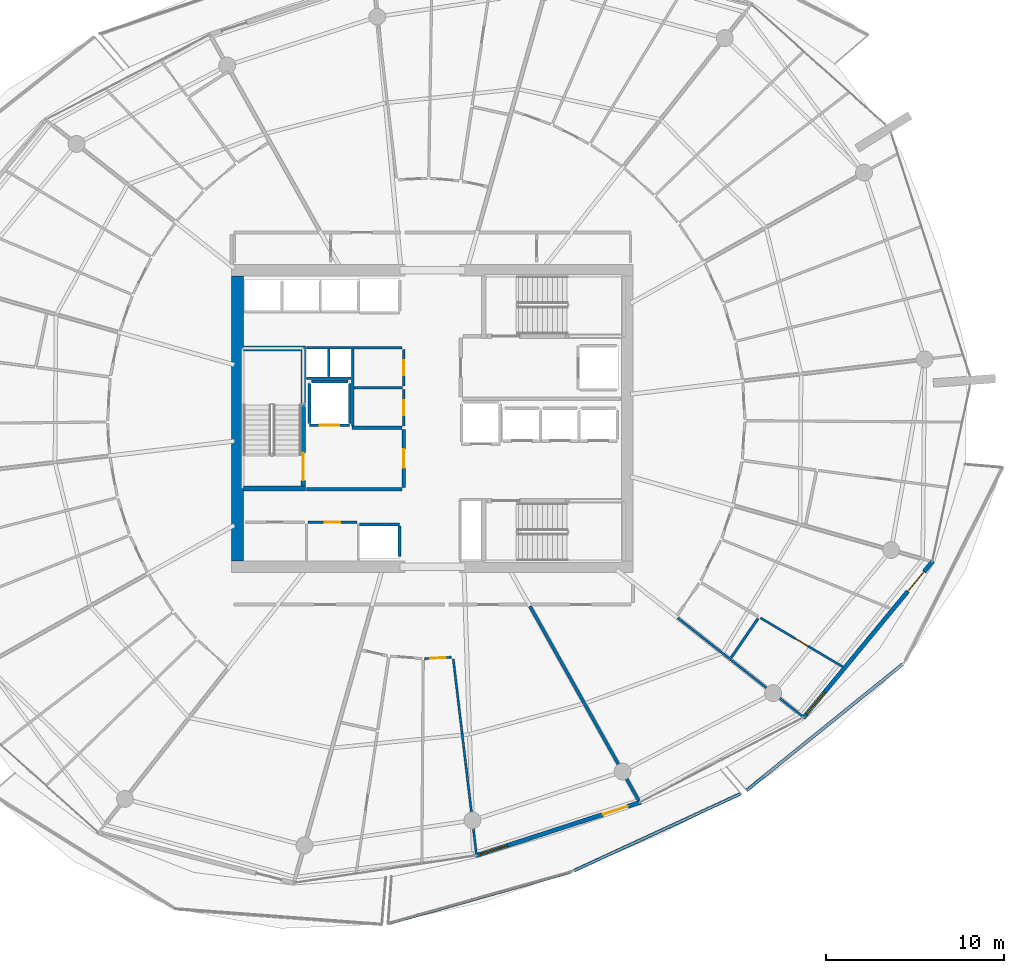
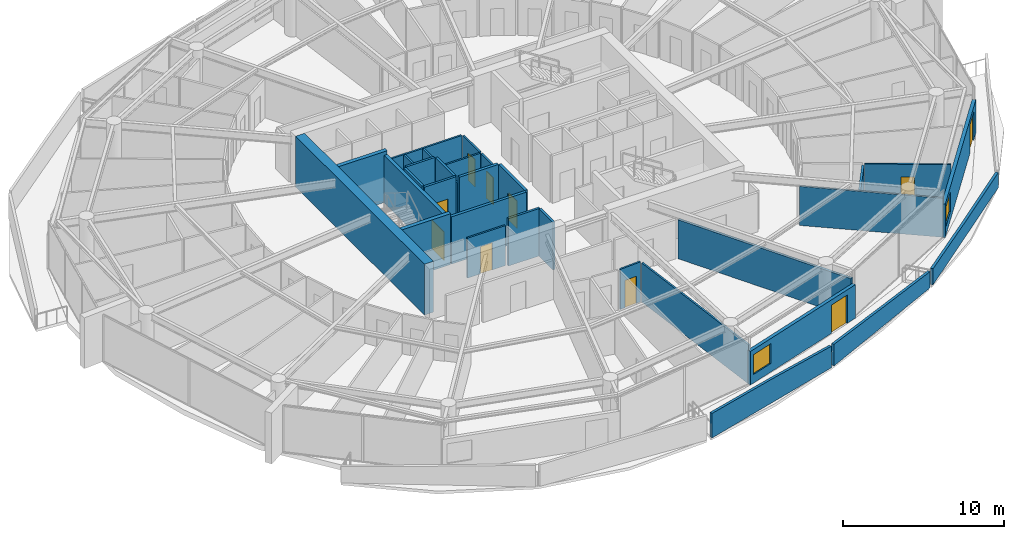
# One storey, part 19 of 30: 32 walls, 10 doors, 2 windows, 12 openings.
"""IFC4 building model written with IfcOpenShell, lengths in metres."""

from ifc_helpers import new_model, si_unit, direction, frame, frame_2d, origin, place, context, subcontext, project, spatial, polyline, rectangle, outline, extrude, material, layer, layer_set, type_object, element, fill, save


model = new_model("IFC4")

# Units and contexts
model_context = context("Model", 3, precision=1e-05, world=origin(), true_north=direction((0.0, 1.0)))
body_context = subcontext(model_context, "Body", "Model", "MODEL_VIEW")
ifc_project = project(units=[si_unit("LENGTHUNIT", "METRE"), si_unit("AREAUNIT", "SQUARE_METRE"), si_unit("VOLUMEUNIT", "CUBIC_METRE"), si_unit("PLANEANGLEUNIT", "RADIAN"), si_unit("MASSUNIT", "GRAM", prefix="KILO")], contexts=[model_context])

# Site, building, storey
site_placement = place(None, origin())
site = spatial("IfcSite", under=ifc_project, at=site_placement, CompositionType="ELEMENT")
building_placement = place(site_placement, origin())
building = spatial("IfcBuilding", under=site, at=building_placement, Name="Kazma Halo Residences", CompositionType="ELEMENT")
storey_placement = place(building_placement, frame((0.0, 0.0, 236.699951171875)))
storey = spatial("IfcBuildingStorey", under=building, at=storey_placement, Name="L59", CompositionType="ELEMENT", Elevation=236.699951171875)

# Walls
ifc_material_1 = material(Name="White Concrete C50/60 Balustrade", Category="concrete")
ifc_layer_1 = layer(ifc_material_1, 0.179931640625)
ifc_layer_set_1 = layer_set([ifc_layer_1], Name="White Concrete C50/60 Balustrade")
wall_type_1 = type_object("IfcWallType", Name="WL-BAL-WAVE-180", PredefinedType="PARAPET", material=ifc_layer_set_1)
wall_1_placement = place(storey_placement, frame((45.94189453125, 13.635498046875, 0.0), z_axis=(0.0, 0.0, 1.0), x_axis=(0.962462930889, 0.271413165976, 0.0)))
element("IfcWall", 1, at=wall_1_placement, inside=storey, type_object=wall_type_1, Name="L59 white wave balustrade wall SSE.1", PredefinedType="PARAPET", context=body_context, shape_type="SweptSolid", body=[
    extrude(outline(polyline([(0.0, 0.0), (10.610595703125, 0.0), (10.610595703125, 1.632080078125), (5.305419921875, 1.798095703125), (0.0, 1.860107421875), (0.0, 0.0)])), frame((0.0, 0.08984375, 0.0), z_axis=(0.0, -1.0, 0.0), x_axis=(1.0, 0.0, 0.0)), (0.0, 0.0, 1.0), 0.179931640625),
])
wall_2_placement = place(storey_placement, frame((56.378662109375, 16.598388671875, 0.0), z_axis=(0.0, 0.0, 1.0), x_axis=(0.907848132744, 0.419299138888, 0.0)))
element("IfcWall", 2, at=wall_2_placement, inside=storey, type_object=wall_type_1, Name="L59 white wave balustrade wall SSE.2", PredefinedType="PARAPET", context=body_context, shape_type="SweptSolid", body=[
    extrude(outline(polyline([(0.0, 0.0), (10.34375, 0.0), (10.34375, 1.233154296875), (5.171875, 1.41796875), (0.0, 1.632080078125), (0.0, 0.0)])), frame((0.0, 0.08984375, 0.0), z_axis=(0.0, -1.0, 0.0), x_axis=(1.0, 0.0, 0.0)), (0.0, 0.0, 1.0), 0.179931640625),
])
wall_3_placement = place(storey_placement, frame((66.0673828125, 21.10546875, 0.0), z_axis=(0.0, 0.0, 1.0), x_axis=(0.777688536298, 0.628649775718, 0.0)))
element("IfcWall", 3, at=wall_3_placement, inside=storey, type_object=wall_type_1, Name="L59 white wave balustrade wall SE.1", PredefinedType="PARAPET", context=body_context, shape_type="SweptSolid", body=[
    extrude(outline(polyline([(0.0, 0.0), (11.284912109375, 0.0), (11.28466796875, 1.14794921875), (5.642333984375, 1.126953125), (0.0, 1.22412109375), (0.0, 0.0)])), frame((0.0, 0.08984375, 0.0), z_axis=(0.0, -1.0, 0.0), x_axis=(1.0, 0.0, 0.0)), (0.0, 0.0, 1.0), 0.179931640625),
])
ifc_material_2 = material(Name="Concrete C60/75", Category="concrete")
ifc_layer_2 = layer(ifc_material_2, 0.64990234375)
ifc_layer_set_2 = layer_set([ifc_layer_2], Name="Concrete C60/75")
wall_type_2 = type_object("IfcWallType", Name="WL-CORE-650", PredefinedType="SHEAR", material=ifc_layer_set_2)
wall_4_placement = place(storey_placement, frame((37.47509765625, 34.0, 0.0), z_axis=(0.0, 0.0, 1.0), x_axis=(0.0, 1.0, 0.0)))
element("IfcWall", 4, at=wall_4_placement, inside=storey, type_object=wall_type_2, Name="L59 central core shear wall W", PredefinedType="SHEAR", context=body_context, shape_type="SweptSolid", body=[
    extrude(rectangle(XDim=16.0, YDim=0.64990234375, at=frame_2d((8.0, 0.0))), origin(), (0.0, 0.0, 1.0), 3.85009765625),
])
ifc_layer_3 = layer(ifc_material_2, 0.280029296875)
ifc_layer_set_3 = layer_set([ifc_layer_3], Name="Concrete C60/75")
wall_type_3 = type_object("IfcWallType", Name="WL-CORE-ST-280", PredefinedType="SHEAR", material=ifc_layer_set_3)
for number, where, z_axis, x_axis, name in (
    (5, (37.800048828125, 38.06005859375, 0.0), (0.0, 0.0, 1.0), (1.0, 0.0, 0.0), "L59 stairwell bearing wall ST01-S"),
    (6, (37.800048828125, 45.93994140625, 0.0), (0.0, 0.0, 1.0), (1.0, 0.0, 0.0), "L59 stairwell bearing wall ST01-N"),
):
    element("IfcWall", number, at=place(storey_placement, frame(where, z_axis=z_axis, x_axis=x_axis)), inside=storey, type_object=wall_type_3, Name=name, PredefinedType="SHEAR", context=body_context, shape_type="SweptSolid", body=[
        extrude(rectangle(XDim=3.5, YDim=0.280029296875, at=frame_2d((1.75, 0.0))), origin(), (0.0, 0.0, 1.0), 3.85009765625),
    ])
ifc_material_3 = material(Name="Acoustic Twin-Stud Gypsum")
ifc_layer_4 = layer(ifc_material_3, 0.179931640625)
ifc_layer_set_4 = layer_set([ifc_layer_4], Name="Acoustic Twin-Stud Gypsum")
wall_type_4 = type_object("IfcWallType", Name="WL-DEM-180", PredefinedType="PARTITIONING", material=ifc_layer_set_4)
wall_5_placement = place(storey_placement, frame((53.906005859375, 31.4541015625, 0.0), z_axis=(0.0, 0.0, 1.0), x_axis=(0.48862654941, -0.872493034477, 0.0)))
element("IfcWall", 7, at=wall_5_placement, inside=storey, type_object=wall_type_4, Name="L59 apartment demising radial wall 12", PredefinedType="PARTITIONING", context=body_context, shape_type="SweptSolid", body=[
    extrude(rectangle(XDim=12.507568359375, YDim=0.179931640625, at=frame_2d((6.25390625, 0.0))), origin(), (0.0, 0.0, 1.0), 2.95703125),
])

# Wall, openings, door, window
ifc_material_4 = material(Name="Insulated Pale-Metal Composite Wall")
ifc_layer_5 = layer(ifc_material_4, 0.239990234375)
ifc_layer_set_5 = layer_set([ifc_layer_5], Name="Insulated Pale-Metal Composite Wall")
wall_type_5 = type_object("IfcWallType", Name="WL-EXT-HOST-240", PredefinedType="SOLIDWALL", material=ifc_layer_set_5)
wall_6_placement = place(storey_placement, frame((50.85791015625, 17.436279296875, 0.0), z_axis=(0.0, 0.0, 1.0), x_axis=(0.951055974609, 0.309018661507, 0.0)))
wall_6 = element("IfcWall", 8, at=wall_6_placement, inside=storey, type_object=wall_type_5, Name="L59 exterior terrace-access wall B12", PredefinedType="SOLIDWALL", context=body_context, shape_type="SweptSolid", body=[
    extrude(rectangle(XDim=9.745361328125, YDim=0.239990234375, at=frame_2d((4.87255859375, 0.0))), origin(), (0.0, 0.0, 1.0), 2.5400390625),
])
opening_1_placement = place(wall_6_placement, frame((7.525390625, 0.0, 0.0)))
opening_1 = element("IfcOpeningElement", 9, at=opening_1_placement, cuts=wall_6, Name="Opening DTR-1600", PredefinedType="OPENING", context=body_context, shape_type="SweptSolid", body=[
    extrude(rectangle(XDim=1.449951171875, YDim=2.14990234375, at=frame_2d((0.72509765625, 1.074951171875))), frame((0.0, 0.1298828125, 0.0), z_axis=(0.0, -1.0, 0.0), x_axis=(1.0, 0.0, 0.0)), (0.0, 0.0, 1.0), 0.260009765625),
])
opening_2_placement = place(wall_6_placement, frame((0.280029296875, 0.0, 0.64990234375)))
opening_2 = element("IfcOpeningElement", 10, at=opening_2_placement, cuts=wall_6, Name="Opening W-1800", PredefinedType="OPENING", context=body_context, shape_type="SweptSolid", body=[
    extrude(rectangle(XDim=1.60009765625, YDim=1.5, at=frame_2d((0.800048828125, 0.75))), frame((0.0, 0.1298828125, 0.0), z_axis=(0.0, -1.0, 0.0), x_axis=(1.0, 0.0, 0.0)), (0.0, 0.0, 1.0), 0.260009765625),
])
ifc_material_5 = material(Name="Aluminium AW-6063 T6 Double-Glazed Terrace Door", Category="aluminium")
door_type_1 = type_object("IfcDoorType", Name="DR-EXT-TERR-1600", OperationType="NOTDEFINED", PredefinedType="DOOR", material=ifc_material_5)
door_1_placement = place(opening_1_placement, origin())
door_1 = element("IfcDoor", 11, at=door_1_placement, inside=storey, type_object=door_type_1, Name="L59 B12 balcony terrace door", OperationType="DOUBLE_DOOR_SLIDING", OverallHeight=2.14990234375, OverallWidth=1.449951171875, PredefinedType="DOOR", context=body_context, shape_type="SweptSolid", body=[
    extrude(rectangle(XDim=1.449951171875, YDim=2.14990234375, at=frame_2d((0.72509765625, 1.074951171875))), frame((0.0, 0.02490234375, 0.0), z_axis=(0.0, -1.0, 0.0), x_axis=(1.0, 0.0, 0.0)), (0.0, 0.0, 1.0), 0.050048828125),
])
fill(opening_1, door_1)
ifc_material_6 = material(Name="Clear Triple-Silver Low-E Glass in Aluminium AW-6063 T6 Frame", Category="aluminium")
window_type = type_object("IfcWindowType", Name="WIN-RES-1800", PartitioningType="DOUBLE_PANEL_VERTICAL", PredefinedType="WINDOW", material=ifc_material_6)
window_1_placement = place(opening_2_placement, origin())
window_1 = element("IfcWindow", 12, at=window_1_placement, inside=storey, type_object=window_type, Name="L59 B12 apartment window", OverallHeight=1.5, OverallWidth=1.60009765625, PartitioningType="SINGLE_PANEL", PredefinedType="WINDOW", context=body_context, shape_type="SweptSolid", body=[
    extrude(rectangle(XDim=1.60009765625, YDim=1.5, at=frame_2d((0.800048828125, 0.75))), frame((0.0, 0.030029296875, 0.0), z_axis=(0.0, -1.0, 0.0), x_axis=(1.0, 0.0, 0.0)), (0.0, 0.0, 1.0), 0.06005859375),
])
fill(opening_2, window_1)

wall_7_placement = place(storey_placement, frame((69.2578125, 25.177978515625, 0.0), z_axis=(0.0, 0.0, 1.0), x_axis=(0.636680093065, 0.771128043255, 0.0)))
wall_7 = element("IfcWall", 13, at=wall_7_placement, inside=storey, type_object=wall_type_5, Name="L59 exterior terrace-access wall B14", PredefinedType="SOLIDWALL", context=body_context, shape_type="SweptSolid", body=[
    extrude(rectangle(XDim=11.438232421875, YDim=0.239990234375, at=frame_2d((5.71923828125, 0.0))), origin(), (0.0, 0.0, 1.0), 2.5400390625),
])
opening_3_placement = place(wall_7_placement, frame((9.21826171875, 0.0, 0.0)))
opening_3 = element("IfcOpeningElement", 14, at=opening_3_placement, cuts=wall_7, Name="Opening DTR-1600", PredefinedType="OPENING", context=body_context, shape_type="SweptSolid", body=[
    extrude(rectangle(XDim=1.449951171875, YDim=2.14990234375, at=frame_2d((0.72509765625, 1.074951171875))), frame((0.0, 0.1298828125, 0.0), z_axis=(0.0, -1.0, 0.0), x_axis=(1.0, 0.0, 0.0)), (0.0, 0.0, 1.0), 0.260009765625),
])
opening_4_placement = place(wall_7_placement, frame((0.280029296875, 0.0, 0.64990234375)))
opening_4 = element("IfcOpeningElement", 15, at=opening_4_placement, cuts=wall_7, Name="Opening W-1800", PredefinedType="OPENING", context=body_context, shape_type="SweptSolid", body=[
    extrude(rectangle(XDim=1.60009765625, YDim=1.5, at=frame_2d((0.800048828125, 0.75))), frame((0.0, 0.1298828125, 0.0), z_axis=(0.0, -1.0, 0.0), x_axis=(1.0, 0.0, 0.0)), (0.0, 0.0, 1.0), 0.260009765625),
])
door_2_placement = place(opening_3_placement, origin())
door_2 = element("IfcDoor", 16, at=door_2_placement, inside=storey, type_object=door_type_1, Name="L59 B14 balcony terrace door", OperationType="DOUBLE_DOOR_SLIDING", OverallHeight=2.14990234375, OverallWidth=1.449951171875, PredefinedType="DOOR", context=body_context, shape_type="SweptSolid", body=[
    extrude(rectangle(XDim=1.449951171875, YDim=2.14990234375, at=frame_2d((0.72509765625, 1.074951171875))), frame((0.0, 0.02490234375, 0.0), z_axis=(0.0, -1.0, 0.0), x_axis=(1.0, 0.0, 0.0)), (0.0, 0.0, 1.0), 0.050048828125),
])
fill(opening_3, door_2)
window_2_placement = place(opening_4_placement, origin())
window_2 = element("IfcWindow", 17, at=window_2_placement, inside=storey, type_object=window_type, Name="L59 B14 apartment window", OverallHeight=1.5, OverallWidth=1.60009765625, PartitioningType="SINGLE_PANEL", PredefinedType="WINDOW", context=body_context, shape_type="SweptSolid", body=[
    extrude(rectangle(XDim=1.60009765625, YDim=1.5, at=frame_2d((0.800048828125, 0.75))), frame((0.0, 0.030029296875, 0.0), z_axis=(0.0, -1.0, 0.0), x_axis=(1.0, 0.0, 0.0)), (0.0, 0.0, 1.0), 0.06005859375),
])
fill(opening_4, window_2)

# Walls
ifc_material_7 = material(Name="Fire-Rated Blockwork Masonry", Category="masonry")
ifc_layer_6 = layer(ifc_material_7, 0.199951171875)
ifc_layer_set_6 = layer_set([ifc_layer_6], Name="Fire-Rated Blockwork Masonry")
wall_type_6 = type_object("IfcWallType", Name="WL-FLB-200", PredefinedType="PARTITIONING", material=ifc_layer_set_6)
wall_8_placement = place(storey_placement, frame((44.320068359375, 36.054931640625, 0.0), z_axis=(0.0, 0.0, 1.0), x_axis=(1.0, 0.0, 0.0)))
element("IfcWall", 18, at=wall_8_placement, inside=storey, type_object=wall_type_6, Name="L59 lift shaft PX-02 front wall", PredefinedType="PARTITIONING", context=body_context, shape_type="SweptSolid", body=[
    extrude(rectangle(XDim=2.260009765625, YDim=0.159912109375, at=frame_2d((1.1298828125, 0.0))), origin(), (0.0, 0.0, 1.0), 3.590087890625),
])
wall_9_placement = place(storey_placement, frame((46.580078125, 34.2451171875, 0.0), z_axis=(0.0, 0.0, 1.0), x_axis=(0.0, 1.0, 0.0)))
element("IfcWall", 19, at=wall_9_placement, inside=storey, type_object=wall_type_6, Name="L59 lift shaft PX-02 side wall E", PredefinedType="PARTITIONING", context=body_context, shape_type="SweptSolid", body=[
    extrude(rectangle(XDim=1.7099609375, YDim=0.159912109375, at=frame_2d((0.85498046875, 0.0))), origin(), (0.0, 0.0, 1.0), 3.590087890625),
])

# Wall, opening, door
wall_10_placement = place(storey_placement, frame((43.780029296875, 41.6201171875, 0.0), z_axis=(0.0, 0.0, 1.0), x_axis=(-1.0, 0.0, 0.0)))
wall_10 = element("IfcWall", 20, at=wall_10_placement, inside=storey, type_object=wall_type_6, Name="L59 lift shaft FL-01 front wall", PredefinedType="PARTITIONING", context=body_context, shape_type="SweptSolid", body=[
    extrude(rectangle(XDim=2.260009765625, YDim=0.159912109375, at=frame_2d((1.1298828125, 0.0))), origin(), (0.0, 0.0, 1.0), 3.590087890625),
])
opening_5_placement = place(wall_10_placement, frame((0.580078125, 0.0, 0.0)))
opening_5 = element("IfcOpeningElement", 21, at=opening_5_placement, cuts=wall_10, Name="Opening LD-FL-01", PredefinedType="OPENING", context=body_context, shape_type="SweptSolid", body=[
    extrude(rectangle(XDim=1.10009765625, YDim=2.10009765625, at=frame_2d((0.550048828125, 1.050048828125))), frame((0.0, 0.08984375, 0.0), z_axis=(0.0, -1.0, 0.0), x_axis=(1.0, 0.0, 0.0)), (0.0, 0.0, 1.0), 0.179931640625),
])
ifc_material_8 = material(Name="Stainless Steel Fire-Rated", Category="steel")
door_type_2 = type_object("IfcDoorType", Name="DR-LIFT-SLD-1100", OperationType="DOUBLE_DOOR_SLIDING", PredefinedType="DOOR", material=ifc_material_8)
door_3_placement = place(opening_5_placement, origin())
door_3 = element("IfcDoor", 22, at=door_3_placement, inside=storey, type_object=door_type_2, Name="L59 lift FL-01 sliding landing door", OperationType="DOUBLE_DOOR_SLIDING", OverallHeight=2.10009765625, OverallWidth=1.10009765625, PredefinedType="DOOR", context=body_context, shape_type="SweptSolid", body=[
    extrude(rectangle(XDim=1.10009765625, YDim=2.10009765625, at=frame_2d((0.550048828125, 1.050048828125))), frame((0.0, 0.02490234375, 0.0), z_axis=(0.0, -1.0, 0.0), x_axis=(1.0, 0.0, 0.0)), (0.0, 0.0, 1.0), 0.050048828125),
])
fill(opening_5, door_3)

# Walls
for number, where, z_axis, x_axis, name in (
    (23, (43.780029296875, 41.719970703125, 0.0), (0.0, 0.0, 1.0), (0.0, 1.0, 0.0), "L59 lift shaft FL-01 side wall E"),
    (24, (41.52001953125, 41.719970703125, 0.0), (0.0, 0.0, 1.0), (0.0, 1.0, 0.0), "L59 lift shaft FL-01 side wall W"),
):
    element("IfcWall", number, at=place(storey_placement, frame(where, z_axis=z_axis, x_axis=x_axis)), inside=storey, type_object=wall_type_6, Name=name, PredefinedType="PARTITIONING", context=body_context, shape_type="SweptSolid", body=[
        extrude(rectangle(XDim=2.260009765625, YDim=0.159912109375, at=frame_2d((1.1298828125, 0.0))), origin(), (0.0, 0.0, 1.0), 3.590087890625),
    ])
wall_11_placement = place(storey_placement, frame((41.6201171875, 44.080078125, 0.0), z_axis=(0.0, 0.0, 1.0), x_axis=(1.0, 0.0, 0.0)))
element("IfcWall", 25, at=wall_11_placement, inside=storey, type_object=wall_type_6, Name="L59 lift shaft FL-01 side wall N", PredefinedType="PARTITIONING", context=body_context, shape_type="SweptSolid", body=[
    extrude(rectangle(XDim=2.059814453125, YDim=0.159912109375, at=frame_2d((1.02978515625, 0.0))), origin(), (0.0, 0.0, 1.0), 3.590087890625),
])
wall_12_placement = place(storey_placement, frame((41.35009765625, 38.02001953125, 0.0), z_axis=(0.0, 0.0, 1.0), x_axis=(1.0, 0.0, 0.0)))
element("IfcWall", 26, at=wall_12_placement, inside=storey, type_object=wall_type_6, Name="L59 west firefighting lobby south smoke wall", PredefinedType="PARTITIONING", context=body_context, shape_type="SweptSolid", body=[
    extrude(rectangle(XDim=5.369873046875, YDim=0.199951171875, at=frame_2d((2.68505859375, 0.0))), origin(), (0.0, 0.0, 1.0), 3.590087890625),
])
wall_13_placement = place(storey_placement, frame((43.919921875, 41.47998046875, 0.0), z_axis=(0.0, 0.0, 1.0), x_axis=(1.0, 0.0, 0.0)))
element("IfcWall", 27, at=wall_13_placement, inside=storey, type_object=wall_type_6, Name="L59 west firefighting lobby north smoke wall", PredefinedType="PARTITIONING", context=body_context, shape_type="SweptSolid", body=[
    extrude(rectangle(XDim=2.800048828125, YDim=0.199951171875, at=frame_2d((1.39990234375, 0.0))), origin(), (0.0, 0.0, 1.0), 3.590087890625),
])

# Wall, opening, door
wall_14_placement = place(storey_placement, frame((46.820068359375, 38.1201171875, 0.0), z_axis=(0.0, 0.0, 1.0), x_axis=(0.0, 1.0, 0.0)))
wall_14 = element("IfcWall", 28, at=wall_14_placement, inside=storey, type_object=wall_type_6, Name="L59 west firefighting lobby smoke wall", PredefinedType="PARTITIONING", context=body_context, shape_type="SweptSolid", body=[
    extrude(rectangle(XDim=3.259765625, YDim=0.199951171875, at=frame_2d((1.6298828125, 0.0))), origin(), (0.0, 0.0, 1.0), 3.590087890625),
])
opening_6_placement = place(wall_14_placement, frame((1.10498046875, 0.0, 0.0)))
opening_6 = element("IfcOpeningElement", 29, at=opening_6_placement, cuts=wall_14, Name="Opening D-FLW", PredefinedType="OPENING", context=body_context, shape_type="SweptSolid", body=[
    extrude(rectangle(XDim=1.050048828125, YDim=2.10009765625, at=frame_2d((0.52490234375, 1.050048828125))), frame((0.0, 0.10986328125, 0.0), z_axis=(0.0, -1.0, 0.0), x_axis=(1.0, 0.0, 0.0)), (0.0, 0.0, 1.0), 0.219970703125),
])
ifc_material_9 = material(Name="Fire-Rated Steel Leaf", Category="steel")
door_type_3 = type_object("IfcDoorType", Name="DR-FD90-1050", OperationType="NOTDEFINED", PredefinedType="DOOR", material=ifc_material_9)
door_4_placement = place(opening_6_placement, origin())
door_4 = element("IfcDoor", 30, at=door_4_placement, inside=storey, type_object=door_type_3, Name="L59 west firefighting lobby smoke door", OperationType="SINGLE_SWING_RIGHT", OverallHeight=2.10009765625, OverallWidth=1.050048828125, PredefinedType="DOOR", context=body_context, shape_type="SweptSolid", body=[
    extrude(rectangle(XDim=1.050048828125, YDim=2.10009765625, at=frame_2d((0.52490234375, 1.050048828125))), frame((0.0, 0.02490234375, 0.0), z_axis=(0.0, -1.0, 0.0), x_axis=(1.0, 0.0, 0.0)), (0.0, 0.0, 1.0), 0.050048828125),
])
fill(opening_6, door_4)

ifc_material_10 = material(Name="Gypsum Plasterboard Partition")
ifc_layer_7 = layer(ifc_material_10, 0.125)
ifc_layer_set_7 = layer_set([ifc_layer_7], Name="Gypsum Plasterboard Partition")
wall_type_7 = type_object("IfcWallType", Name="WL-PART-125", PredefinedType="PARTITIONING", material=ifc_layer_set_7)
wall_15_placement = place(storey_placement, frame((41.449951171875, 36.179931640625, 0.0), z_axis=(0.0, 0.0, 1.0), x_axis=(1.0, 0.0, 0.0)))
wall_15 = element("IfcWall", 31, at=wall_15_placement, inside=storey, type_object=wall_type_7, Name="L59 reclaimed south E front wall", PredefinedType="PARTITIONING", context=body_context, shape_type="SweptSolid", body=[
    extrude(rectangle(XDim=2.72998046875, YDim=0.125, at=frame_2d((1.364990234375, 0.0))), origin(), (0.0, 0.0, 1.0), 3.030029296875),
])
opening_7_placement = place(wall_15_placement, frame((0.93994140625, 0.0, 0.0)))
opening_7 = element("IfcOpeningElement", 32, at=opening_7_placement, cuts=wall_15, Name="Opening DS-850", PredefinedType="OPENING", context=body_context, shape_type="SweptSolid", body=[
    extrude(rectangle(XDim=0.85009765625, YDim=2.06005859375, at=frame_2d((0.425048828125, 1.030029296875))), frame((0.0, 0.072509765625, 0.0), z_axis=(0.0, -1.0, 0.0), x_axis=(1.0, 0.0, 0.0)), (0.0, 0.0, 1.0), 0.14501953125),
])
ifc_material_11 = material(Name="Painted Steel Access Leaf", Category="steel")
door_type_4 = type_object("IfcDoorType", Name="DR-SVC-850", OperationType="NOTDEFINED", PredefinedType="DOOR", material=ifc_material_11)
door_5_placement = place(opening_7_placement, origin())
door_5 = element("IfcDoor", 33, at=door_5_placement, inside=storey, type_object=door_type_4, Name="L59 reclaimed south E door", OperationType="SINGLE_SWING_LEFT", OverallHeight=2.06005859375, OverallWidth=0.85009765625, PredefinedType="DOOR", context=body_context, shape_type="SweptSolid", body=[
    extrude(rectangle(XDim=0.85009765625, YDim=2.06005859375, at=frame_2d((0.425048828125, 1.030029296875))), frame((0.0, 0.02490234375, 0.0), z_axis=(0.0, -1.0, 0.0), x_axis=(1.0, 0.0, 0.0)), (0.0, 0.0, 1.0), 0.050048828125),
])
fill(opening_7, door_5)

# Walls
wall_16_placement = place(storey_placement, frame((41.360107421875, 45.97998046875, 0.0), z_axis=(0.0, 0.0, 1.0), x_axis=(1.0, 0.0, 0.0)))
element("IfcWall", 34, at=wall_16_placement, inside=storey, type_object=wall_type_7, Name="L59 core north riser wall", PredefinedType="PARTITIONING", context=body_context, shape_type="SweptSolid", body=[
    extrude(rectangle(XDim=5.35986328125, YDim=0.125, at=frame_2d((2.679931640625, 0.0))), origin(), (0.0, 0.0, 1.0), 3.030029296875),
])
wall_17_placement = place(storey_placement, frame((41.360107421875, 44.260009765625, 0.0), z_axis=(0.0, 0.0, 1.0), x_axis=(1.0, 0.0, 0.0)))
element("IfcWall", 35, at=wall_17_placement, inside=storey, type_object=wall_type_7, Name="L59 core riser south wall", PredefinedType="PARTITIONING", context=body_context, shape_type="SweptSolid", body=[
    extrude(rectangle(XDim=2.5, YDim=0.125, at=frame_2d((1.25, 0.0))), origin(), (0.0, 0.0, 1.0), 3.030029296875),
])
wall_18_placement = place(storey_placement, frame((42.60009765625, 44.35009765625, 0.0), z_axis=(0.0, 0.0, 1.0), x_axis=(0.0, 1.0, 0.0)))
element("IfcWall", 36, at=wall_18_placement, inside=storey, type_object=wall_type_7, Name="L59 core riser divider wall", PredefinedType="PARTITIONING", context=body_context, shape_type="SweptSolid", body=[
    extrude(rectangle(XDim=1.5498046875, YDim=0.125, at=frame_2d((0.77490234375, 0.0))), origin(), (0.0, 0.0, 1.0), 3.030029296875),
])
wall_19_placement = place(storey_placement, frame((43.949951171875, 41.580078125, 0.0), z_axis=(0.0, 0.0, 1.0), x_axis=(0.0, 1.0, 0.0)))
element("IfcWall", 37, at=wall_19_placement, inside=storey, type_object=wall_type_7, Name="L59 core service west wall", PredefinedType="PARTITIONING", context=body_context, shape_type="SweptSolid", body=[
    extrude(rectangle(XDim=4.31982421875, YDim=0.125, at=frame_2d((2.159912109375, 0.0))), origin(), (0.0, 0.0, 1.0), 3.030029296875),
])
wall_20_placement = place(storey_placement, frame((44.030029296875, 43.72998046875, 0.0), z_axis=(0.0, 0.0, 1.0), x_axis=(1.0, 0.0, 0.0)))
element("IfcWall", 38, at=wall_20_placement, inside=storey, type_object=wall_type_7, Name="L59 switch/IDF divider", PredefinedType="PARTITIONING", context=body_context, shape_type="SweptSolid", body=[
    extrude(rectangle(XDim=2.7099609375, YDim=0.125, at=frame_2d((1.35498046875, 0.0))), origin(), (0.0, 0.0, 1.0), 3.030029296875),
])

# Wall, opening, door
wall_21_placement = place(storey_placement, frame((46.820068359375, 41.580078125, 0.0), z_axis=(0.0, 0.0, 1.0), x_axis=(0.0, 1.0, 0.0)))
wall_21 = element("IfcWall", 39, at=wall_21_placement, inside=storey, type_object=wall_type_7, Name="L59 electrical switch room east wall", PredefinedType="PARTITIONING", context=body_context, shape_type="SweptSolid", body=[
    extrude(rectangle(XDim=2.0498046875, YDim=0.125, at=frame_2d((1.02490234375, 0.0))), origin(), (0.0, 0.0, 1.0), 3.030029296875),
])
opening_8_placement = place(wall_21_placement, frame((0.60009765625, 0.0, 0.0)))
opening_8 = element("IfcOpeningElement", 40, at=opening_8_placement, cuts=wall_21, Name="Opening DS-850", PredefinedType="OPENING", context=body_context, shape_type="SweptSolid", body=[
    extrude(rectangle(XDim=0.85009765625, YDim=2.06005859375, at=frame_2d((0.425048828125, 1.030029296875))), frame((0.0, 0.072509765625, 0.0), z_axis=(0.0, -1.0, 0.0), x_axis=(1.0, 0.0, 0.0)), (0.0, 0.0, 1.0), 0.14501953125),
])
door_6_placement = place(opening_8_placement, origin())
door_6 = element("IfcDoor", 41, at=door_6_placement, inside=storey, type_object=door_type_4, Name="L59 electrical switch room door", OperationType="SINGLE_SWING_RIGHT", OverallHeight=2.06005859375, OverallWidth=0.85009765625, PredefinedType="DOOR", context=body_context, shape_type="SweptSolid", body=[
    extrude(rectangle(XDim=0.85009765625, YDim=2.06005859375, at=frame_2d((0.425048828125, 1.030029296875))), frame((0.0, 0.02490234375, 0.0), z_axis=(0.0, -1.0, 0.0), x_axis=(1.0, 0.0, 0.0)), (0.0, 0.0, 1.0), 0.050048828125),
])
fill(opening_8, door_6)

wall_22_placement = place(storey_placement, frame((46.820068359375, 43.830078125, 0.0), z_axis=(0.0, 0.0, 1.0), x_axis=(0.0, 1.0, 0.0)))
wall_22 = element("IfcWall", 42, at=wall_22_placement, inside=storey, type_object=wall_type_7, Name="L59 telecom IDF room east wall", PredefinedType="PARTITIONING", context=body_context, shape_type="SweptSolid", body=[
    extrude(rectangle(XDim=2.0498046875, YDim=0.125, at=frame_2d((1.02490234375, 0.0))), origin(), (0.0, 0.0, 1.0), 3.030029296875),
])
opening_9_placement = place(wall_22_placement, frame((0.60009765625, 0.0, 0.0)))
opening_9 = element("IfcOpeningElement", 43, at=opening_9_placement, cuts=wall_22, Name="Opening DS-850", PredefinedType="OPENING", context=body_context, shape_type="SweptSolid", body=[
    extrude(rectangle(XDim=0.85009765625, YDim=2.06005859375, at=frame_2d((0.425048828125, 1.030029296875))), frame((0.0, 0.072509765625, 0.0), z_axis=(0.0, -1.0, 0.0), x_axis=(1.0, 0.0, 0.0)), (0.0, 0.0, 1.0), 0.14501953125),
])
door_7_placement = place(opening_9_placement, origin())
door_7 = element("IfcDoor", 44, at=door_7_placement, inside=storey, type_object=door_type_4, Name="L59 telecom IDF room door", OperationType="SINGLE_SWING_LEFT", OverallHeight=2.06005859375, OverallWidth=0.85009765625, PredefinedType="DOOR", context=body_context, shape_type="SweptSolid", body=[
    extrude(rectangle(XDim=0.85009765625, YDim=2.06005859375, at=frame_2d((0.425048828125, 1.030029296875))), frame((0.0, 0.02490234375, 0.0), z_axis=(0.0, -1.0, 0.0), x_axis=(1.0, 0.0, 0.0)), (0.0, 0.0, 1.0), 0.050048828125),
])
fill(opening_9, door_7)

# Wall
wall_23_placement = place(storey_placement, frame((49.59814453125, 28.497314453125, 0.0), z_axis=(0.0, 0.0, 1.0), x_axis=(0.117541965763, -0.99306791625, 0.0)))
element("IfcWall", 45, at=wall_23_placement, inside=storey, type_object=wall_type_7, Name="L59 Apartment 3 living radial partition 10", PredefinedType="PARTITIONING", context=body_context, shape_type="SweptSolid", body=[
    extrude(rectangle(XDim=11.09765625, YDim=0.125, at=frame_2d((5.548828125, 0.0))), origin(), (0.0, 0.0, 1.0), 2.95703125),
])

# Wall, opening, door
wall_24_placement = place(storey_placement, frame((47.989013671875, 28.5078125, 0.0), z_axis=(0.0, 0.0, 1.0), x_axis=(0.998458349177, 0.055506080383, 0.0)))
wall_24 = element("IfcWall", 46, at=wall_24_placement, inside=storey, type_object=wall_type_7, Name="L59 Apartment 3 Primary Bedroom hall wall", PredefinedType="PARTITIONING", context=body_context, shape_type="SweptSolid", body=[
    extrude(rectangle(XDim=1.499755859375, YDim=0.125, at=frame_2d((0.75, 0.0))), origin(), (0.0, 0.0, 1.0), 3.030029296875),
])
opening_10_placement = place(wall_24_placement, frame((0.324951171875, 0.0, 0.0)))
opening_10 = element("IfcOpeningElement", 47, at=opening_10_placement, cuts=wall_24, Name="Opening DB-900", PredefinedType="OPENING", context=body_context, shape_type="SweptSolid", body=[
    extrude(rectangle(XDim=0.85009765625, YDim=2.06005859375, at=frame_2d((0.425048828125, 1.030029296875))), frame((0.0, 0.072509765625, 0.0), z_axis=(0.0, -1.0, 0.0), x_axis=(1.0, 0.0, 0.0)), (0.0, 0.0, 1.0), 0.14501953125),
])
ifc_material_12 = material(Name="Moisture-Sealed Timber Leaf", Category="wood")
door_type_5 = type_object("IfcDoorType", Name="DR-BTH-900", OperationType="NOTDEFINED", PredefinedType="DOOR", material=ifc_material_12)
door_8_placement = place(opening_10_placement, origin())
door_8 = element("IfcDoor", 48, at=door_8_placement, inside=storey, type_object=door_type_5, Name="L59 Apartment 3 Primary Bedroom door", OperationType="SINGLE_SWING_LEFT", OverallHeight=2.06005859375, OverallWidth=0.85009765625, PredefinedType="DOOR", context=body_context, shape_type="SweptSolid", body=[
    extrude(rectangle(XDim=0.85009765625, YDim=2.06005859375, at=frame_2d((0.425048828125, 1.030029296875))), frame((0.0, 0.02490234375, 0.0), z_axis=(0.0, -1.0, 0.0), x_axis=(1.0, 0.0, 0.0)), (0.0, 0.0, 1.0), 0.050048828125),
])
fill(opening_10, door_8)

# Wall
wall_25_placement = place(storey_placement, frame((62.2041015625, 30.802490234375, 0.0), z_axis=(0.0, 0.0, 1.0), x_axis=(0.785317367408, -0.619093395577, 0.0)))
element("IfcWall", 49, at=wall_25_placement, inside=storey, type_object=wall_type_7, Name="L59 Apartment 4 radial partition 13", PredefinedType="PARTITIONING", context=body_context, shape_type="SweptSolid", body=[
    extrude(rectangle(XDim=8.99755859375, YDim=0.125, at=frame_2d((4.498779296875, 0.0))), origin(), (0.0, 0.0, 1.0), 2.95703125),
])

# Wall, opening, door
wall_26_placement = place(storey_placement, frame((66.8515625, 30.80126953125, 0.0), z_axis=(0.0, 0.0, 1.0), x_axis=(0.859740710849, -0.51073076088, 0.0)))
wall_26 = element("IfcWall", 50, at=wall_26_placement, inside=storey, type_object=wall_type_7, Name="L59 Apartment 4 Household Store Room partition wall", PredefinedType="PARTITIONING", context=body_context, shape_type="SweptSolid", body=[
    extrude(rectangle(XDim=5.375732421875, YDim=0.125, at=frame_2d((2.68798828125, 0.0))), origin(), (0.0, 0.0, 1.0), 3.030029296875),
])
opening_11_placement = place(wall_26_placement, frame((2.262939453125, 0.0, 0.0)))
opening_11 = element("IfcOpeningElement", 51, at=opening_11_placement, cuts=wall_26, Name="Opening DB-900", PredefinedType="OPENING", context=body_context, shape_type="SweptSolid", body=[
    extrude(rectangle(XDim=0.85009765625, YDim=2.06005859375, at=frame_2d((0.425048828125, 1.030029296875))), frame((0.0, 0.072509765625, 0.0), z_axis=(0.0, -1.0, 0.0), x_axis=(1.0, 0.0, 0.0)), (0.0, 0.0, 1.0), 0.14501953125),
])
door_9_placement = place(opening_11_placement, origin())
door_9 = element("IfcDoor", 52, at=door_9_placement, inside=storey, type_object=door_type_5, Name="L59 Apartment 4 Household Store Room door", OperationType="SINGLE_SWING_RIGHT", OverallHeight=2.06005859375, OverallWidth=0.85009765625, PredefinedType="DOOR", context=body_context, shape_type="SweptSolid", body=[
    extrude(rectangle(XDim=0.85009765625, YDim=2.06005859375, at=frame_2d((0.425048828125, 1.030029296875))), frame((0.0, 0.02490234375, 0.0), z_axis=(0.0, -1.0, 0.0), x_axis=(1.0, 0.0, 0.0)), (0.0, 0.0, 1.0), 0.050048828125),
])
fill(opening_11, door_9)

ifc_material_13 = material(Name="Concrete C50/60", Category="concrete")
ifc_layer_8 = layer(ifc_material_13, 0.25)
ifc_layer_set_8 = layer_set([ifc_layer_8], Name="Concrete C50/60")
wall_type_8 = type_object("IfcWallType", Name="WL-SHF-250", PredefinedType="SOLIDWALL", material=ifc_layer_set_8)
wall_27_placement = place(storey_placement, frame((41.179931640625, 38.219970703125, 0.0), z_axis=(0.0, 0.0, 1.0), x_axis=(0.0, 1.0, 0.0)))
wall_27 = element("IfcWall", 53, at=wall_27_placement, inside=storey, type_object=wall_type_8, Name="L59 exit stair ST-01 enclosure wall", PredefinedType="SOLIDWALL", context=body_context, shape_type="SweptSolid", body=[
    extrude(rectangle(XDim=7.56005859375, YDim=0.25, at=frame_2d((3.780029296875, 0.0))), origin(), (0.0, 0.0, 1.0), 3.590087890625),
])
opening_12_placement = place(wall_27_placement, frame((0.300048828125, 0.0, 0.0)))
opening_12 = element("IfcOpeningElement", 54, at=opening_12_placement, cuts=wall_27, Name="Opening D-ST1", PredefinedType="OPENING", context=body_context, shape_type="SweptSolid", body=[
    extrude(rectangle(XDim=1.550048828125, YDim=2.14990234375, at=frame_2d((0.77490234375, 1.074951171875))), frame((0.0, 0.135009765625, 0.0), z_axis=(0.0, -1.0, 0.0), x_axis=(1.0, 0.0, 0.0)), (0.0, 0.0, 1.0), 0.27001953125),
])
ifc_material_14 = material(Name="Fire-Rated Double Steel Leaf", Category="steel")
door_type_6 = type_object("IfcDoorType", Name="DR-FD90-1550", OperationType="NOTDEFINED", PredefinedType="DOOR", material=ifc_material_14)
door_10_placement = place(opening_12_placement, origin())
door_10 = element("IfcDoor", 55, at=door_10_placement, inside=storey, type_object=door_type_6, Name="L59 exit stair ST-01 fire door", OperationType="DOUBLE_DOOR_SINGLE_SWING", OverallHeight=2.14990234375, OverallWidth=1.550048828125, PredefinedType="DOOR", context=body_context, shape_type="SweptSolid", body=[
    extrude(rectangle(XDim=1.550048828125, YDim=2.14990234375, at=frame_2d((0.77490234375, 1.074951171875))), frame((0.0, 0.02490234375, 0.0), z_axis=(0.0, -1.0, 0.0), x_axis=(1.0, 0.0, 0.0)), (0.0, 0.0, 1.0), 0.050048828125),
])
fill(opening_12, door_10)

# Wall
ifc_material_15 = material(Name="Moisture-Resistant Gypsum")
ifc_layer_9 = layer(ifc_material_15, 0.14990234375)
ifc_layer_set_9 = layer_set([ifc_layer_9], Name="Moisture-Resistant Gypsum")
wall_type_9 = type_object("IfcWallType", Name="WL-WET-150", PredefinedType="PARTITIONING", material=ifc_layer_set_9)
wall_28_placement = place(storey_placement, frame((65.20556640625, 28.563232421875, 0.0), z_axis=(0.0, 0.0, 1.0), x_axis=(0.566122902213, 0.82432084748, 0.0)))
element("IfcWall", 56, at=wall_28_placement, inside=storey, type_object=wall_type_9, Name="L59 Apartment 4 Guest Bathroom back wall", PredefinedType="PARTITIONING", context=body_context, shape_type="SweptSolid", body=[
    extrude(rectangle(XDim=2.6806640625, YDim=0.14990234375, at=frame_2d((1.34033203125, 0.0))), origin(), (0.0, 0.0, 1.0), 2.95703125),
])

save(model, "model.ifc")
